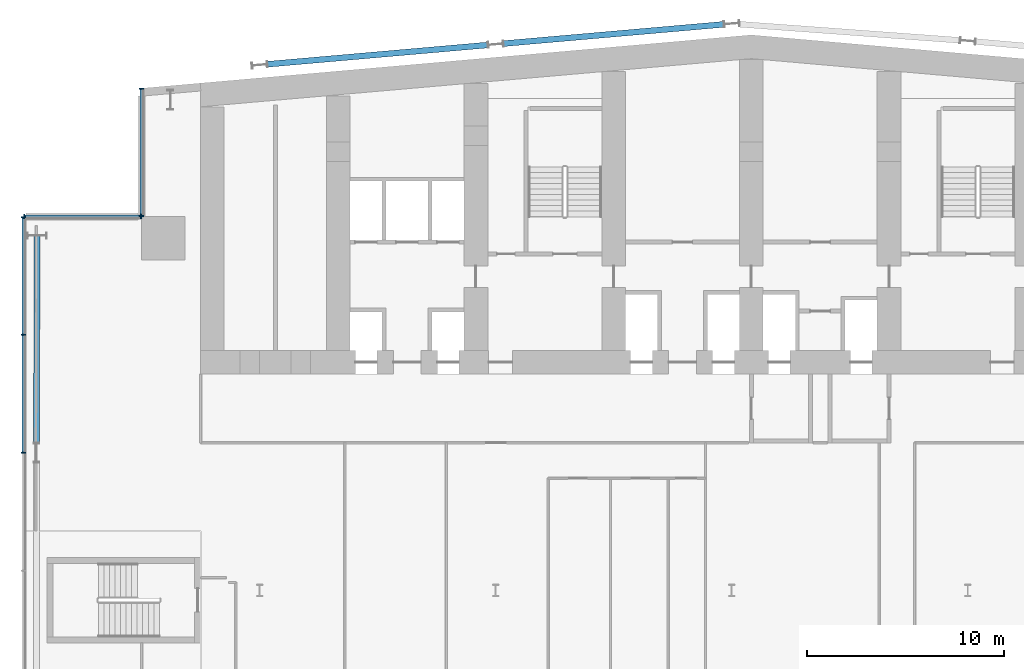
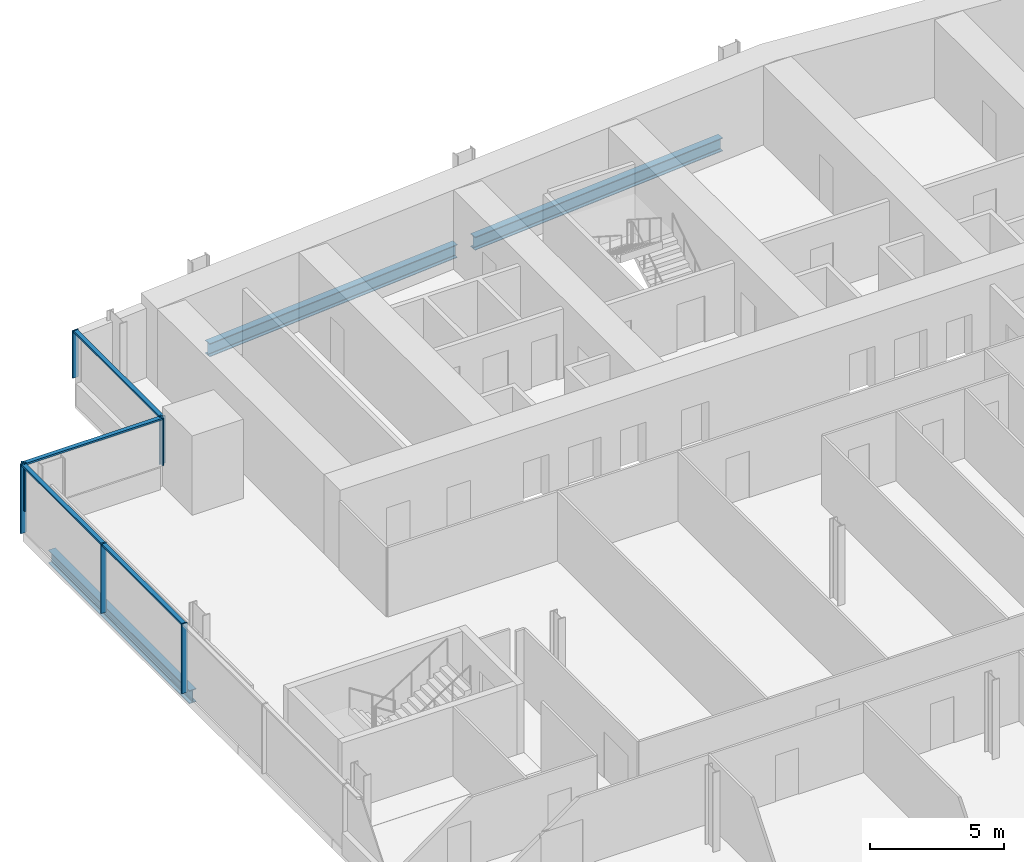
# One storey, part 7 of 24: 11 members, 3 beams, 3 elements without a shape of their own.
"""IFC4 building model written with IfcOpenShell, lengths in metres."""

from ifc_helpers import new_model, si_unit, direction, frame, origin, origin_2d, place, context, subcontext, project, spatial, rectangle, i_section, extrude, material, material_profile, profile_set, type_object, element, aggregate, save


model = new_model("IFC4")

# Units and contexts
model_context = context("Model", 3, precision=1e-05, world=origin(), true_north=direction((0.0, 1.0)))
body_context = subcontext(model_context, "Body", "Model", "MODEL_VIEW")
ifc_project = project(units=[si_unit("LENGTHUNIT", "METRE"), si_unit("AREAUNIT", "SQUARE_METRE"), si_unit("VOLUMEUNIT", "CUBIC_METRE"), si_unit("PLANEANGLEUNIT", "RADIAN"), si_unit("MASSUNIT", "GRAM", prefix="KILO")], contexts=[model_context])

# Site, building, storey
site_placement = place(None, origin())
site = spatial("IfcSite", under=ifc_project, at=site_placement, CompositionType="ELEMENT")
building_placement = place(site_placement, origin())
building = spatial("IfcBuilding", under=site, at=building_placement, Name="Wharfspan Tower", CompositionType="ELEMENT")
storey_placement = place(building_placement, frame((0.0, 0.0, 88.300049)))
storey = spatial("IfcBuildingStorey", under=building, at=storey_placement, Name="L19", CompositionType="ELEMENT", Elevation=88.300049)

# Beams
ifc_material_1 = material(Name="Steel S355J2", Category="steel")
ifc_material_profile_1 = material_profile(ifc_material_1, i_section(OverallWidth=0.300049, OverallDepth=0.600098, WebThickness=0.015381, FlangeThickness=0.030029, FilletRadius=0.0271, at=origin_2d()))
ifc_profile_set_1 = profile_set([ifc_material_profile_1], Name="Steel S355J2")
beam_type = type_object("IfcBeamType", Name="Edge beam HEB 600", PredefinedType="SPANDREL", material=ifc_profile_set_1)
for number, where, z_axis, x_axis, name in (
    (1, (35.598633, 51.774414, -0.699951), (-0.996196, -0.087143, 0.0), (0.087143, -0.996196, 0.0), "Edge beam N1 L19 R.3 to R.2"),
    (2, (23.598633, 50.724609, -0.699951), (-0.996194, -0.087165, 0.0), (0.087165, -0.996194, 0.0), "Edge beam N1 L19 R.2 to R.1"),
):
    element("IfcBeam", number, at=place(storey_placement, frame(where, z_axis=z_axis, x_axis=x_axis)), inside=storey, type_object=beam_type, Name=name, PredefinedType="SPANDREL", context=body_context, shape_type="SweptSolid", body=[
        extrude(i_section(OverallWidth=0.300049, OverallDepth=0.600098, WebThickness=0.015381, FlangeThickness=0.030029, FilletRadius=0.0271, at=origin_2d()), origin(), (0.0, 0.0, 1.0), 11.23999),
    ])
beam_placement = place(storey_placement, frame((0.684814, 41.027832, -0.699951), z_axis=(-0.002249, -0.999997, 0.0), x_axis=(0.999997, -0.002249, 0.0)))
element("IfcBeam", 3, at=beam_placement, inside=storey, type_object=beam_type, Name="Edge beam W L19 PNRW-H.1 to PW.1", PredefinedType="SPANDREL", context=body_context, shape_type="SweptSolid", body=[
    extrude(i_section(OverallWidth=0.300049, OverallDepth=0.600098, WebThickness=0.015381, FlangeThickness=0.030029, FilletRadius=0.0271, at=origin_2d()), origin(), (0.0, 0.0, 1.0), 10.527832),
])

# Curtain wall, members
ifc_material_2 = material(Name="Aluminium 6063-T6", Category="aluminium")
curtain_wall_type = type_object("IfcCurtainWallType", Name="CURTAIN WALL PROW AND END", PredefinedType="NOTDEFINED", material=ifc_material_2)
curtain_wall_1_placement = place(storey_placement, origin())
curtain_wall_1 = element("IfcCurtainWall", 4, at=curtain_wall_1_placement, inside=storey, type_object=curtain_wall_type, Name="Curtain wall NRW-V", PredefinedType="NOTDEFINED")
ifc_material_profile_2 = material_profile(ifc_material_2, rectangle(XDim=0.23999, YDim=0.060059, at=origin_2d()))
ifc_profile_set_2 = profile_set([ifc_material_profile_2], Name="Aluminium 6063-T6")
member_type_1 = type_object("IfcMemberType", Name="MULLION PROW AND END 60x240", PredefinedType="MULLION", material=ifc_profile_set_2)
member_1_placement = place(storey_placement, frame((6.0, 48.494873, 1.0), z_axis=(0.0, 0.0, 1.0), x_axis=(1.0, 0.0, 0.0)))
member_1 = element("IfcMember", 5, at=member_1_placement, type_object=member_type_1, Name="Curtain wall NRW-V mullion 1", PredefinedType="MULLION", context=body_context, shape_type="SweptSolid", body=[
    extrude(rectangle(XDim=0.23999, YDim=0.060059, at=origin_2d()), origin(), (0.0, 0.0, 1.0), 2.149902),
])
member_2_placement = place(storey_placement, frame((6.0, 42.030029, 1.0), z_axis=(0.0, 0.0, 1.0), x_axis=(1.0, 0.0, 0.0)))
member_2 = element("IfcMember", 6, at=member_2_placement, type_object=member_type_1, Name="Curtain wall NRW-V mullion 2", PredefinedType="MULLION", context=body_context, shape_type="SweptSolid", body=[
    extrude(rectangle(XDim=0.23999, YDim=0.060059, at=origin_2d()), origin(), (0.0, 0.0, 1.0), 2.149902),
])

curtain_wall_2_placement = place(storey_placement, origin())
curtain_wall_2 = element("IfcCurtainWall", 7, at=curtain_wall_2_placement, inside=storey, type_object=curtain_wall_type, Name="Curtain wall NRW-H", PredefinedType="NOTDEFINED")
member_3_placement = place(storey_placement, frame((5.969971, 42.0, 1.0), z_axis=(0.0, 0.0, 1.0), x_axis=(0.0, -1.0, 0.0)))
member_3 = element("IfcMember", 8, at=member_3_placement, type_object=member_type_1, Name="Curtain wall NRW-H mullion 1", PredefinedType="MULLION", context=body_context, shape_type="SweptSolid", body=[
    extrude(rectangle(XDim=0.23999, YDim=0.060059, at=origin_2d()), origin(), (0.0, 0.0, 1.0), 2.149902),
])
member_4_placement = place(storey_placement, frame((0.030029, 42.0, 1.0), z_axis=(0.0, 0.0, 1.0), x_axis=(0.0, -1.0, 0.0)))
member_4 = element("IfcMember", 9, at=member_4_placement, type_object=member_type_1, Name="Curtain wall NRW-H mullion 2", PredefinedType="MULLION", context=body_context, shape_type="SweptSolid", body=[
    extrude(rectangle(XDim=0.23999, YDim=0.060059, at=origin_2d()), origin(), (0.0, 0.0, 1.0), 2.149902),
])

curtain_wall_3_placement = place(storey_placement, origin())
curtain_wall_3 = element("IfcCurtainWall", 10, at=curtain_wall_3_placement, inside=storey, type_object=curtain_wall_type, Name="Curtain wall W", PredefinedType="NOTDEFINED")
member_5_placement = place(storey_placement, frame((0.0, 41.969971, 0.0), z_axis=(0.0, 0.0, 1.0), x_axis=(1.0, 0.0, 0.0)))
member_5 = element("IfcMember", 11, at=member_5_placement, type_object=member_type_1, Name="Curtain wall W mullion 1", PredefinedType="MULLION", context=body_context, shape_type="SweptSolid", body=[
    extrude(rectangle(XDim=0.23999, YDim=0.060059, at=origin_2d()), origin(), (0.0, 0.0, 1.0), 3.149902),
])
member_6_placement = place(storey_placement, frame((0.0, 36.0, 0.0), z_axis=(0.0, 0.0, 1.0), x_axis=(1.0, 0.0, 0.0)))
member_6 = element("IfcMember", 12, at=member_6_placement, type_object=member_type_1, Name="Curtain wall W mullion 2", PredefinedType="MULLION", context=body_context, shape_type="SweptSolid", body=[
    extrude(rectangle(XDim=0.23999, YDim=0.060059, at=origin_2d()), origin(), (0.0, 0.0, 1.0), 3.149902),
])
member_7_placement = place(storey_placement, frame((0.0, 30.0, 0.0), z_axis=(0.0, 0.0, 1.0), x_axis=(1.0, 0.0, 0.0)))
member_7 = element("IfcMember", 13, at=member_7_placement, type_object=member_type_1, Name="Curtain wall W mullion 3", PredefinedType="MULLION", context=body_context, shape_type="SweptSolid", body=[
    extrude(rectangle(XDim=0.23999, YDim=0.060059, at=origin_2d()), origin(), (0.0, 0.0, 1.0), 3.149902),
])

# Member
ifc_material_profile_3 = material_profile(ifc_material_2, rectangle(XDim=0.179932, YDim=0.080078, at=origin_2d()))
ifc_profile_set_3 = profile_set([ifc_material_profile_3], Name="Aluminium 6063-T6")
member_type_2 = type_object("IfcMemberType", Name="TRANSOM PROW AND END 80x180", PredefinedType="USERDEFINED", material=ifc_profile_set_3)
member_8_placement = place(storey_placement, frame((6.0, 48.464844, 3.109863), z_axis=(0.0, -1.0, 0.0), x_axis=(1.0, 0.0, 0.0)))
member_8 = element("IfcMember", 14, at=member_8_placement, type_object=member_type_2, Name="Curtain wall NRW-V transom 1", ObjectType="TRANSOM", PredefinedType="USERDEFINED", context=body_context, shape_type="SweptSolid", body=[
    extrude(rectangle(XDim=0.179932, YDim=0.080078, at=origin_2d()), origin(), (0.0, 0.0, 1.0), 6.404785),
])

aggregate(curtain_wall_1, [member_1, member_2, member_8])

member_9_placement = place(storey_placement, frame((5.939941, 42.0, 3.109863), z_axis=(-1.0, 0.0, 0.0), x_axis=(0.0, -1.0, 0.0)))
member_9 = element("IfcMember", 15, at=member_9_placement, type_object=member_type_2, Name="Curtain wall NRW-H transom 1", ObjectType="TRANSOM", PredefinedType="USERDEFINED", context=body_context, shape_type="SweptSolid", body=[
    extrude(rectangle(XDim=0.179932, YDim=0.080078, at=origin_2d()), origin(), (0.0, 0.0, 1.0), 5.879883),
])

aggregate(curtain_wall_2, [member_3, member_4, member_9])

member_10_placement = place(storey_placement, frame((0.0, 41.939941, 3.109863), z_axis=(0.0, -1.0, 0.0), x_axis=(1.0, 0.0, 0.0)))
member_10 = element("IfcMember", 16, at=member_10_placement, type_object=member_type_2, Name="Curtain wall W transom 1", ObjectType="TRANSOM", PredefinedType="USERDEFINED", context=body_context, shape_type="SweptSolid", body=[
    extrude(rectangle(XDim=0.179932, YDim=0.080078, at=origin_2d()), origin(), (0.0, 0.0, 1.0), 5.909912),
])

member_11_placement = place(storey_placement, frame((0.0, 35.969971, 3.109863), z_axis=(0.0, -1.0, 0.0), x_axis=(1.0, 0.0, 0.0)))
member_11 = element("IfcMember", 17, at=member_11_placement, type_object=member_type_2, Name="Curtain wall W transom 2", ObjectType="TRANSOM", PredefinedType="USERDEFINED", context=body_context, shape_type="SweptSolid", body=[
    extrude(rectangle(XDim=0.179932, YDim=0.080078, at=origin_2d()), origin(), (0.0, 0.0, 1.0), 5.939941),
])

aggregate(curtain_wall_3, [member_5, member_6, member_7, member_10, member_11])

save(model, "model.ifc")
